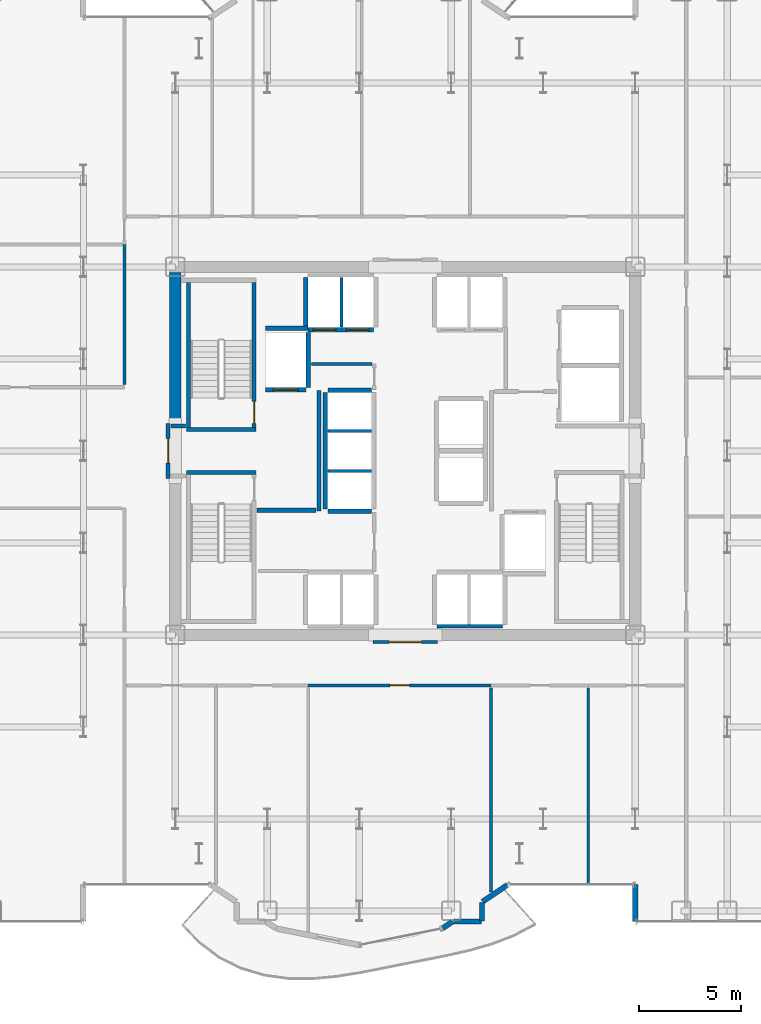
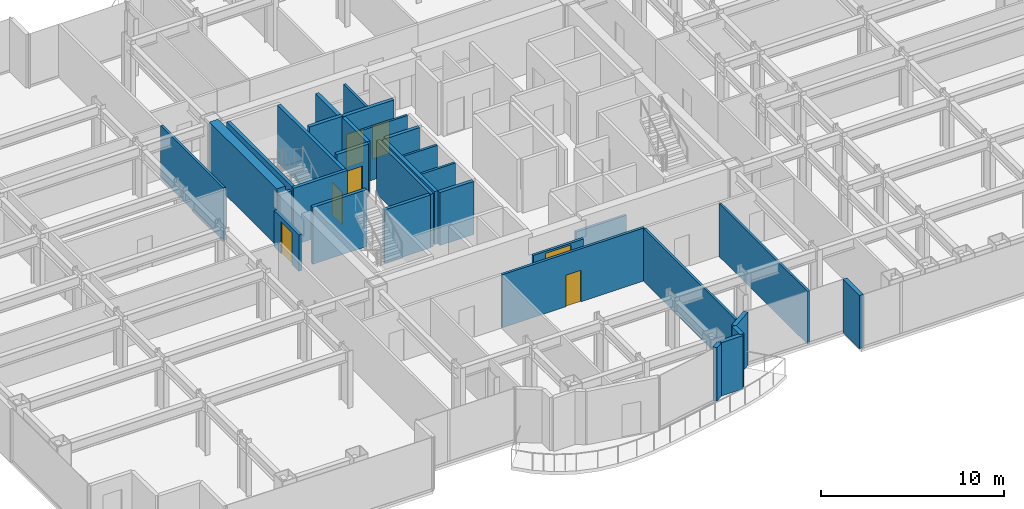
# One storey, part 23 of 28: 32 walls, 7 doors, 7 openings.
"""IFC4 building model written with IfcOpenShell, lengths in metres."""

from ifc_helpers import new_model, si_unit, direction, frame, frame_2d, origin, place, context, subcontext, project, spatial, rectangle, extrude, source, transform, mapped, material, layer, layer_set, type_object, element, fill, save


model = new_model("IFC4")

# Units and contexts
model_context = context("Model", 3, precision=1e-05, world=origin(), true_north=direction((0.0, 1.0)))
body_context = subcontext(model_context, "Body", "Model", "MODEL_VIEW")
ifc_project = project(units=[si_unit("LENGTHUNIT", "METRE"), si_unit("AREAUNIT", "SQUARE_METRE"), si_unit("VOLUMEUNIT", "CUBIC_METRE"), si_unit("PLANEANGLEUNIT", "RADIAN"), si_unit("MASSUNIT", "GRAM", prefix="KILO")], contexts=[model_context])

# Site, building, storey
site_placement = place(None, origin())
site = spatial("IfcSite", under=ifc_project, at=site_placement, CompositionType="ELEMENT")
building_placement = place(site_placement, origin())
building = spatial("IfcBuilding", under=site, at=building_placement, Name="Nefas-Gora Pilgrimage Tower", CompositionType="ELEMENT")
storey_placement = place(building_placement, frame((0.0, 0.0, 102.199951171875)))
storey = spatial("IfcBuildingStorey", under=building, at=storey_placement, Name="L24", CompositionType="ELEMENT", Elevation=102.199951171875)

# Walls
ifc_material_1 = material(Name="Concrete C60/75", Category="concrete")
ifc_layer_1 = layer(ifc_material_1, 0.550048828125)
ifc_layer_set_1 = layer_set([ifc_layer_1], Name="Concrete C60/75")
wall_type_1 = type_object("IfcWallType", Name="SW-CORE-550", PredefinedType="SHEAR", material=ifc_layer_set_1)
shared_shape_1 = source(origin(), body_context, "Body", "SweptSolid", [
    extrude(rectangle(XDim=7.375, YDim=0.550048828125, at=frame_2d((3.6875, 0.0))), origin(), (0.0, 0.0, 1.0), 3.800048828125),
])
wall_1_placement = place(storey_placement, frame((-11.25, 1.35009765625, 0.0), z_axis=(0.0, 0.0, 1.0), x_axis=(0.0, 1.0, 0.0)))
element("IfcWall", 1, at=wall_1_placement, inside=storey, type_object=wall_type_1, Name="L24 Core Shear Wall W-North", PredefinedType="SHEAR", context=body_context, shape_type="MappedRepresentation", body=[
    mapped(shared_shape_1, transform((0.0, 0.0, 0.0), x_axis=(1.0, 0.0, 0.0), y_axis=(0.0, 1.0, 0.0), z_axis=(0.0, 0.0, 1.0), scale=1.0)),
])
ifc_material_2 = material(Name="Precast concrete C40/50", Category="concrete")
ifc_layer_2 = layer(ifc_material_2, 0.260009765625)
ifc_layer_set_2 = layer_set([ifc_layer_2], Name="Precast concrete C40/50")
wall_type_2 = type_object("IfcWallType", Name="EW-PORTAL-260", PredefinedType="SOLIDWALL", material=ifc_layer_set_2)
shared_shape_2 = source(origin(), body_context, "Body", "SweptSolid", [
    extrude(rectangle(XDim=1.800048828125, YDim=0.260009765625, at=frame_2d((0.89990234375, 0.0))), origin(), (0.0, 0.0, 1.0), 3.550048828125),
])
wall_2_placement = place(storey_placement, frame((11.25, -21.219970703125, 0.0), z_axis=(0.0, 0.0, 1.0), x_axis=(0.0, -1.0, 0.0)))
element("IfcWall", 2, at=wall_2_placement, inside=storey, type_object=wall_type_2, Name="L24 Lobe Shoulder Precast Spandrel Pier 5", PredefinedType="SOLIDWALL", context=body_context, shape_type="MappedRepresentation", body=[
    mapped(shared_shape_2, transform((0.0, 0.0, 0.0), x_axis=(1.0, 0.0, 0.0), y_axis=(0.0, 1.0, 0.0), z_axis=(0.0, 0.0, 1.0), scale=1.0)),
])
shared_shape_3 = source(origin(), body_context, "Body", "SweptSolid", [
    extrude(rectangle(XDim=1.468994140625, YDim=0.260009765625, at=frame_2d((0.734375, 0.0))), origin(), (0.0, 0.0, 1.0), 3.550048828125),
])
wall_3_placement = place(storey_placement, frame((3.773193359375, -22.0517578125, 0.0), z_axis=(0.0, 0.0, 1.0), x_axis=(0.831461760506, 0.555581983884, 0.0)))
element("IfcWall", 3, at=wall_3_placement, inside=storey, type_object=wall_type_2, Name="L24 Lobe Shoulder Precast Spandrel Pier 42", PredefinedType="SOLIDWALL", context=body_context, shape_type="MappedRepresentation", body=[
    mapped(shared_shape_3, transform((0.0, 0.0, 0.0), x_axis=(1.0, 0.0, 0.0), y_axis=(0.0, 1.0, 0.0), z_axis=(0.0, 0.0, 1.0), scale=1.0)),
])
shared_shape_4 = source(origin(), body_context, "Body", "SweptSolid", [
    extrude(rectangle(XDim=0.896728515625, YDim=0.260009765625, at=frame_2d((0.4482421875, 0.0))), origin(), (0.0, 0.0, 1.0), 3.550048828125),
])
wall_4_placement = place(storey_placement, frame((3.75, -22.991943359375, 0.0), z_axis=(0.0, 0.0, 1.0), x_axis=(0.0, 1.0, 0.0)))
element("IfcWall", 4, at=wall_4_placement, inside=storey, type_object=wall_type_2, Name="L24 Lobe Shoulder Precast Spandrel Pier 41", PredefinedType="SOLIDWALL", context=body_context, shape_type="MappedRepresentation", body=[
    mapped(shared_shape_4, transform((0.0, 0.0, 0.0), x_axis=(1.0, 0.0, 0.0), y_axis=(0.0, 1.0, 0.0), z_axis=(0.0, 0.0, 1.0), scale=1.0)),
])
shared_shape_5 = source(origin(), body_context, "Body", "SweptSolid", [
    extrude(rectangle(XDim=1.369873046875, YDim=0.260009765625, at=frame_2d((0.68505859375, 0.0))), origin(), (0.0, 0.0, 1.0), 3.550048828125),
])
wall_5_placement = place(storey_placement, frame((2.35205078125, -23.02001953125, 0.0), z_axis=(0.0, 0.0, 1.0), x_axis=(1.0, 0.0, 0.0)))
element("IfcWall", 5, at=wall_5_placement, inside=storey, type_object=wall_type_2, Name="L24 Lobe Shoulder Precast Spandrel Pier 40", PredefinedType="SOLIDWALL", context=body_context, shape_type="MappedRepresentation", body=[
    mapped(shared_shape_5, transform((0.0, 0.0, 0.0), x_axis=(1.0, 0.0, 0.0), y_axis=(0.0, 1.0, 0.0), z_axis=(0.0, 0.0, 1.0), scale=1.0)),
])
shared_shape_6 = source(origin(), body_context, "Body", "SweptSolid", [
    extrude(rectangle(XDim=0.5654296875, YDim=0.260009765625, at=frame_2d((0.28271484375, 0.0))), origin(), (0.0, 0.0, 1.0), 3.550048828125),
])
wall_6_placement = place(storey_placement, frame((1.83056640625, -23.349609375, 0.0), z_axis=(0.0, 0.0, 1.0), x_axis=(0.831651492666, 0.555297933317, 0.0)))
element("IfcWall", 6, at=wall_6_placement, inside=storey, type_object=wall_type_2, Name="L24 Lobe Shoulder Precast Spandrel Pier 39", PredefinedType="SOLIDWALL", context=body_context, shape_type="MappedRepresentation", body=[
    mapped(shared_shape_6, transform((0.0, 0.0, 0.0), x_axis=(1.0, 0.0, 0.0), y_axis=(0.0, 1.0, 0.0), z_axis=(0.0, 0.0, 1.0), scale=1.0)),
])
ifc_material_3 = material(Name="Concrete C45/55", Category="concrete")
ifc_layer_3 = layer(ifc_material_3, 0.199951171875)
ifc_layer_set_3 = layer_set([ifc_layer_3], Name="Concrete C45/55")
wall_type_3 = type_object("IfcWallType", Name="IW-STAIR-200", PredefinedType="SOLIDWALL", material=ifc_layer_set_3)
shared_shape_7 = source(origin(), body_context, "Body", "SweptSolid", [
    extrude(rectangle(XDim=3.39990234375, YDim=0.199951171875, at=frame_2d((1.699951171875, 0.0))), origin(), (0.0, 0.0, 1.0), 3.800048828125),
])
for number, where, z_axis, x_axis, name in (
    (7, (-7.300048828125, 1.050048828125, 0.0), (0.0, 0.0, 1.0), (-1.0, 0.0, 0.0), "L24 Stairwell Shear Wall ST-01-near"),
    (8, (-10.699951171875, -1.050048828125, 0.0), (0.0, 0.0, 1.0), (1.0, 0.0, 0.0), "L24 Stairwell Shear Wall ST-03-near"),
):
    element("IfcWall", number, at=place(storey_placement, frame(where, z_axis=z_axis, x_axis=x_axis)), inside=storey, type_object=wall_type_3, Name=name, PredefinedType="SOLIDWALL", context=body_context, shape_type="MappedRepresentation", body=[
        mapped(shared_shape_7, transform((0.0, 0.0, 0.0), x_axis=(1.0, 0.0, 0.0), y_axis=(0.0, 1.0, 0.0), z_axis=(0.0, 0.0, 1.0), scale=1.0)),
    ])

# Wall, opening, door
shared_shape_8 = source(origin(), body_context, "Body", "SweptSolid", [
    extrude(rectangle(XDim=7.10009765625, YDim=0.199951171875, at=frame_2d((3.550048828125, 0.0))), origin(), (0.0, 0.0, 1.0), 3.800048828125),
])
wall_7_placement = place(storey_placement, frame((-7.39990234375, 1.14990234375, 0.0), z_axis=(0.0, 0.0, 1.0), x_axis=(0.0, 1.0, 0.0)))
wall_7 = element("IfcWall", 9, at=wall_7_placement, inside=storey, type_object=wall_type_3, Name="L24 Stairwell Shear Wall ST-01-left", PredefinedType="SOLIDWALL", context=body_context, shape_type="MappedRepresentation", body=[
    mapped(shared_shape_8, transform((0.0, 0.0, 0.0), x_axis=(1.0, 0.0, 0.0), y_axis=(0.0, 1.0, 0.0), z_axis=(0.0, 0.0, 1.0), scale=1.0)),
])
opening_1_placement = place(wall_7_placement, frame((0.179931640625, 0.0, 0.0)))
opening_1 = element("IfcOpeningElement", 10, at=opening_1_placement, cuts=wall_7, Name="Opening ID-ST1", PredefinedType="OPENING", context=body_context, shape_type="SweptSolid", body=[
    extrude(rectangle(XDim=1.10009765625, YDim=2.14990234375, at=frame_2d((0.550048828125, 1.074951171875))), frame((0.0, 0.10986328125, 0.0), z_axis=(0.0, -1.0, 0.0), x_axis=(1.0, 0.0, 0.0)), (0.0, 0.0, 1.0), 0.219970703125),
])
ifc_material_4 = material(Name="Painted galvanised steel fire stair door", Category="steel")
door_type_1 = type_object("IfcDoorType", Name="DR-INT-STAIR-1100", OperationType="NOTDEFINED", PredefinedType="DOOR", material=ifc_material_4)
shared_shape_9 = source(origin(), body_context, "Body", "SweptSolid", [
    extrude(rectangle(XDim=1.10009765625, YDim=2.14990234375, at=frame_2d((0.550048828125, 1.074951171875))), frame((0.0, 0.02490234375, 0.0), z_axis=(0.0, -1.0, 0.0), x_axis=(1.0, 0.0, 0.0)), (0.0, 0.0, 1.0), 0.050048828125),
])
door_1_placement = place(opening_1_placement, origin())
door_1 = element("IfcDoor", 11, at=door_1_placement, inside=storey, type_object=door_type_1, Name="L24 Protected Exit Stair Door ST-01", OperationType="SINGLE_SWING_RIGHT", OverallHeight=2.14990234375, OverallWidth=1.10009765625, PredefinedType="DOOR", context=body_context, shape_type="MappedRepresentation", body=[
    mapped(shared_shape_9, transform((0.0, 0.0, 0.0), x_axis=(1.0, 0.0, 0.0), y_axis=(0.0, 1.0, 0.0), z_axis=(0.0, 0.0, 1.0), scale=1.0)),
])
fill(opening_1, door_1)

# Walls
wall_8_placement = place(storey_placement, frame((-10.60009765625, 1.14990234375, 0.0), z_axis=(0.0, 0.0, 1.0), x_axis=(0.0, 1.0, 0.0)))
element("IfcWall", 12, at=wall_8_placement, inside=storey, type_object=wall_type_3, Name="L24 Stairwell Shear Wall ST-01-right", PredefinedType="SOLIDWALL", context=body_context, shape_type="MappedRepresentation", body=[
    mapped(shared_shape_8, transform((0.0, 0.0, 0.0), x_axis=(1.0, 0.0, 0.0), y_axis=(0.0, 1.0, 0.0), z_axis=(0.0, 0.0, 1.0), scale=1.0)),
])
ifc_material_5 = material(Name="Gypsum acoustic stud partition")
ifc_layer_4 = layer(ifc_material_5, 0.159912109375)
ifc_layer_set_4 = layer_set([ifc_layer_4], Name="Gypsum acoustic stud partition")
wall_type_4 = type_object("IfcWallType", Name="IW-CORR-160", PredefinedType="PARTITIONING", material=ifc_layer_set_4)
shared_shape_10 = source(origin(), body_context, "Body", "SweptSolid", [
    extrude(rectangle(XDim=3.199951171875, YDim=0.159912109375, at=frame_2d((1.60009765625, 0.0))), origin(), (0.0, 0.0, 1.0), 2.425048828125),
])
wall_9_placement = place(storey_placement, frame((1.550048828125, -8.580078125, 0.0), z_axis=(0.0, 0.0, 1.0), x_axis=(1.0, 0.0, 0.0)))
element("IfcWall", 13, at=wall_9_placement, inside=storey, type_object=wall_type_4, Name="L24 Hoistway Wall PL2-E-S", PredefinedType="PARTITIONING", context=body_context, shape_type="MappedRepresentation", body=[
    mapped(shared_shape_10, transform((0.0, 0.0, 0.0), x_axis=(1.0, 0.0, 0.0), y_axis=(0.0, 1.0, 0.0), z_axis=(0.0, 0.0, 1.0), scale=1.0)),
])

# Wall, opening, door
ifc_material_6 = material(Name="Concrete C40/50", Category="concrete")
ifc_layer_5 = layer(ifc_material_6, 0.219970703125)
ifc_layer_set_5 = layer_set([ifc_layer_5], Name="Concrete C40/50")
wall_type_5 = type_object("IfcWallType", Name="IW-SHAFT-220", PredefinedType="SOLIDWALL", material=ifc_layer_set_5)
shared_shape_11 = source(origin(), body_context, "Body", "SweptSolid", [
    extrude(rectangle(XDim=2.0, YDim=0.219970703125, at=frame_2d((1.0, 0.0))), origin(), (0.0, 0.0, 1.0), 3.53515625),
])
wall_10_placement = place(storey_placement, frame((-6.85009765625, 2.989990234375, 0.0), z_axis=(0.0, 0.0, 1.0), x_axis=(1.0, 0.0, 0.0)))
wall_10 = element("IfcWall", 14, at=wall_10_placement, inside=storey, type_object=wall_type_5, Name="L24 Hoistway Wall FFL-01-S", PredefinedType="SOLIDWALL", context=body_context, shape_type="MappedRepresentation", body=[
    mapped(shared_shape_11, transform((0.0, 0.0, 0.0), x_axis=(1.0, 0.0, 0.0), y_axis=(0.0, 1.0, 0.0), z_axis=(0.0, 0.0, 1.0), scale=1.0)),
])
opening_2_placement = place(wall_10_placement, frame((0.39990234375, 0.0, 0.0)))
opening_2 = element("IfcOpeningElement", 15, at=opening_2_placement, cuts=wall_10, Name="Opening LD-FF", PredefinedType="OPENING", context=body_context, shape_type="SweptSolid", body=[
    extrude(rectangle(XDim=1.199951171875, YDim=2.199951171875, at=frame_2d((0.60009765625, 1.10009765625))), frame((0.0, 0.119873046875, 0.0), z_axis=(0.0, -1.0, 0.0), x_axis=(1.0, 0.0, 0.0)), (0.0, 0.0, 1.0), 0.239990234375),
])
ifc_material_7 = material(Name="Fire-service sliding lift landing door")
door_type_2 = type_object("IfcDoorType", Name="DR-LIFT-FSAE-1200", OperationType="SLIDING_TO_LEFT", PredefinedType="DOOR", material=ifc_material_7)
shared_shape_12 = source(origin(), body_context, "Body", "SweptSolid", [
    extrude(rectangle(XDim=1.199951171875, YDim=2.199951171875, at=frame_2d((0.60009765625, 1.10009765625))), frame((0.0, 0.02490234375, 0.0), z_axis=(0.0, -1.0, 0.0), x_axis=(1.0, 0.0, 0.0)), (0.0, 0.0, 1.0), 0.050048828125),
])
door_2_placement = place(opening_2_placement, origin())
door_2 = element("IfcDoor", 16, at=door_2_placement, inside=storey, type_object=door_type_2, Name="L24 Sliding Lift Landing Door FFL-01", OperationType="SLIDING_TO_LEFT", OverallHeight=2.199951171875, OverallWidth=1.199951171875, PredefinedType="DOOR", context=body_context, shape_type="MappedRepresentation", body=[
    mapped(shared_shape_12, transform((0.0, 0.0, 0.0), x_axis=(1.0, 0.0, 0.0), y_axis=(0.0, 1.0, 0.0), z_axis=(0.0, 0.0, 1.0), scale=1.0)),
])
fill(opening_2, door_2)

# Wall
shared_shape_13 = source(origin(), body_context, "Body", "SweptSolid", [
    extrude(rectangle(XDim=2.679931640625, YDim=0.219970703125, at=frame_2d((1.33984375, 0.0))), origin(), (0.0, 0.0, 1.0), 3.53515625),
])
wall_11_placement = place(storey_placement, frame((-4.739990234375, 3.110107421875, 0.0), z_axis=(0.0, 0.0, 1.0), x_axis=(0.0, 1.0, 0.0)))
element("IfcWall", 17, at=wall_11_placement, inside=storey, type_object=wall_type_5, Name="L24 Hoistway Wall FFL-01-E", PredefinedType="SOLIDWALL", context=body_context, shape_type="MappedRepresentation", body=[
    mapped(shared_shape_13, transform((0.0, 0.0, 0.0), x_axis=(1.0, 0.0, 0.0), y_axis=(0.0, 1.0, 0.0), z_axis=(0.0, 0.0, 1.0), scale=1.0)),
])

# Wall, openings, doors
shared_shape_14 = source(origin(), body_context, "Body", "SweptSolid", [
    extrude(rectangle(XDim=3.199951171875, YDim=0.219970703125, at=frame_2d((1.60009765625, 0.0))), origin(), (0.0, 0.0, 1.0), 3.53515625),
])
wall_12_placement = place(storey_placement, frame((-4.75, 5.93994140625, 0.0), z_axis=(0.0, 0.0, 1.0), x_axis=(1.0, 0.0, 0.0)))
wall_12 = element("IfcWall", 18, at=wall_12_placement, inside=storey, type_object=wall_type_5, Name="L24 Hoistway Wall PL1-W-S", PredefinedType="SOLIDWALL", context=body_context, shape_type="MappedRepresentation", body=[
    mapped(shared_shape_14, transform((0.0, 0.0, 0.0), x_axis=(1.0, 0.0, 0.0), y_axis=(0.0, 1.0, 0.0), z_axis=(0.0, 0.0, 1.0), scale=1.0)),
])
opening_3_placement = place(wall_12_placement, frame((0.25, 0.0, 0.0)))
opening_3 = element("IfcOpeningElement", 19, at=opening_3_placement, cuts=wall_12, Name="Opening LD-01", PredefinedType="OPENING", context=body_context, shape_type="SweptSolid", body=[
    extrude(rectangle(XDim=1.10009765625, YDim=2.199951171875, at=frame_2d((0.550048828125, 1.10009765625))), frame((0.0, 0.119873046875, 0.0), z_axis=(0.0, -1.0, 0.0), x_axis=(1.0, 0.0, 0.0)), (0.0, 0.0, 1.0), 0.239990234375),
])
opening_4_placement = place(wall_12_placement, frame((1.875, 0.0, 0.0)))
opening_4 = element("IfcOpeningElement", 20, at=opening_4_placement, cuts=wall_12, Name="Opening LD-01", PredefinedType="OPENING", context=body_context, shape_type="SweptSolid", body=[
    extrude(rectangle(XDim=1.10009765625, YDim=2.199951171875, at=frame_2d((0.550048828125, 1.10009765625))), frame((0.0, 0.119873046875, 0.0), z_axis=(0.0, -1.0, 0.0), x_axis=(1.0, 0.0, 0.0)), (0.0, 0.0, 1.0), 0.239990234375),
])
ifc_material_8 = material(Name="Brushed stainless sliding lift landing door")
door_type_3 = type_object("IfcDoorType", Name="DR-LIFT-PASS-1100", OperationType="DOUBLE_DOOR_SLIDING", PredefinedType="DOOR", material=ifc_material_8)
shared_shape_15 = source(origin(), body_context, "Body", "SweptSolid", [
    extrude(rectangle(XDim=1.10009765625, YDim=2.199951171875, at=frame_2d((0.550048828125, 1.10009765625))), frame((0.0, 0.02490234375, 0.0), z_axis=(0.0, -1.0, 0.0), x_axis=(1.0, 0.0, 0.0)), (0.0, 0.0, 1.0), 0.050048828125),
])
door_3_placement = place(opening_3_placement, origin())
door_3 = element("IfcDoor", 21, at=door_3_placement, inside=storey, type_object=door_type_3, Name="L24 Sliding Lift Landing Door PL1-01", OperationType="DOUBLE_DOOR_SLIDING", OverallHeight=2.199951171875, OverallWidth=1.10009765625, PredefinedType="DOOR", context=body_context, shape_type="MappedRepresentation", body=[
    mapped(shared_shape_15, transform((0.0, 0.0, 0.0), x_axis=(1.0, 0.0, 0.0), y_axis=(0.0, 1.0, 0.0), z_axis=(0.0, 0.0, 1.0), scale=1.0)),
])
fill(opening_3, door_3)
door_4_placement = place(opening_4_placement, origin())
door_4 = element("IfcDoor", 22, at=door_4_placement, inside=storey, type_object=door_type_3, Name="L24 Sliding Lift Landing Door PL1-02", OperationType="DOUBLE_DOOR_SLIDING", OverallHeight=2.199951171875, OverallWidth=1.10009765625, PredefinedType="DOOR", context=body_context, shape_type="MappedRepresentation", body=[
    mapped(shared_shape_15, transform((0.0, 0.0, 0.0), x_axis=(1.0, 0.0, 0.0), y_axis=(0.0, 1.0, 0.0), z_axis=(0.0, 0.0, 1.0), scale=1.0)),
])
fill(opening_4, door_4)

# Walls
shared_shape_16 = source(origin(), body_context, "Body", "SweptSolid", [
    extrude(rectangle(XDim=2.429931640625, YDim=0.219970703125, at=frame_2d((1.21484375, 0.0))), origin(), (0.0, 0.0, 1.0), 3.53515625),
])
wall_13_placement = place(storey_placement, frame((-4.860107421875, 8.489990234375, 0.0), z_axis=(0.0, 0.0, 1.0), x_axis=(0.0, -1.0, 0.0)))
element("IfcWall", 23, at=wall_13_placement, inside=storey, type_object=wall_type_5, Name="L24 Hoistway Wall PL1-W-W", PredefinedType="SOLIDWALL", context=body_context, shape_type="MappedRepresentation", body=[
    mapped(shared_shape_16, transform((0.0, 0.0, 0.0), x_axis=(1.0, 0.0, 0.0), y_axis=(0.0, 1.0, 0.0), z_axis=(0.0, 0.0, 1.0), scale=1.0)),
])
ifc_material_9 = material(Name="Gypsum twin-stud partition")
ifc_layer_6 = layer(ifc_material_9, 0.139892578125)
ifc_layer_set_6 = layer_set([ifc_layer_6], Name="Gypsum twin-stud partition")
wall_type_6 = type_object("IfcWallType", Name="IW-UNIT-140", PredefinedType="PARTITIONING", material=ifc_layer_set_6)
shared_shape_17 = source(origin(), body_context, "Body", "SweptSolid", [
    extrude(rectangle(XDim=2.429931640625, YDim=0.139892578125, at=frame_2d((1.21484375, 0.0))), origin(), (0.0, 0.0, 1.0), 3.53515625),
])
wall_14_placement = place(storey_placement, frame((-3.125, 6.06005859375, 0.0), z_axis=(0.0, 0.0, 1.0), x_axis=(0.0, 1.0, 0.0)))
element("IfcWall", 24, at=wall_14_placement, inside=storey, type_object=wall_type_6, Name="L24 Hoistway Wall PL1-W-DIV", PredefinedType="PARTITIONING", context=body_context, shape_type="MappedRepresentation", body=[
    mapped(shared_shape_17, transform((0.0, 0.0, 0.0), x_axis=(1.0, 0.0, 0.0), y_axis=(0.0, 1.0, 0.0), z_axis=(0.0, 0.0, 1.0), scale=1.0)),
])
shared_shape_18 = source(origin(), body_context, "Body", "SweptSolid", [
    extrude(rectangle(XDim=5.7001953125, YDim=0.219970703125, at=frame_2d((2.85009765625, 0.0))), origin(), (0.0, 0.0, 1.0), 3.53515625),
])
wall_15_placement = place(storey_placement, frame((-3.909912109375, 2.85009765625, 0.0), z_axis=(0.0, 0.0, 1.0), x_axis=(0.0, -1.0, 0.0)))
element("IfcWall", 25, at=wall_15_placement, inside=storey, type_object=wall_type_5, Name="L24 Hoistway Wall PL3-01-03-W", PredefinedType="SOLIDWALL", context=body_context, shape_type="MappedRepresentation", body=[
    mapped(shared_shape_18, transform((0.0, 0.0, 0.0), x_axis=(1.0, 0.0, 0.0), y_axis=(0.0, 1.0, 0.0), z_axis=(0.0, 0.0, 1.0), scale=1.0)),
])
shared_shape_19 = source(origin(), body_context, "Body", "SweptSolid", [
    extrude(rectangle(XDim=2.130126953125, YDim=0.219970703125, at=frame_2d((1.06494140625, 0.0))), origin(), (0.0, 0.0, 1.0), 3.53515625),
])
for number, where, z_axis, x_axis, name in (
    (26, (-3.7900390625, -2.9599609375, 0.0), (0.0, 0.0, 1.0), (1.0, 0.0, 0.0), "L24 Hoistway Wall PL3-01-S"),
    (27, (-1.659912109375, 2.9599609375, 0.0), (0.0, 0.0, 1.0), (-1.0, 0.0, 0.0), "L24 Hoistway Wall PL3-03-N"),
):
    element("IfcWall", number, at=place(storey_placement, frame(where, z_axis=z_axis, x_axis=x_axis)), inside=storey, type_object=wall_type_5, Name=name, PredefinedType="SOLIDWALL", context=body_context, shape_type="MappedRepresentation", body=[
        mapped(shared_shape_19, transform((0.0, 0.0, 0.0), x_axis=(1.0, 0.0, 0.0), y_axis=(0.0, 1.0, 0.0), z_axis=(0.0, 0.0, 1.0), scale=1.0)),
    ])
shared_shape_20 = source(origin(), body_context, "Body", "SweptSolid", [
    extrude(rectangle(XDim=2.130126953125, YDim=0.139892578125, at=frame_2d((1.06494140625, 0.0))), origin(), (0.0, 0.0, 1.0), 3.53515625),
])
for number, where, z_axis, x_axis, name in (
    (28, (-3.7900390625, -0.97509765625, 0.0), (0.0, 0.0, 1.0), (1.0, 0.0, 0.0), "L24 Hoistway Wall PL3-01-02-DIV"),
    (29, (-3.7900390625, 0.97509765625, 0.0), (0.0, 0.0, 1.0), (1.0, 0.0, 0.0), "L24 Hoistway Wall PL3-02-03-DIV"),
):
    element("IfcWall", number, at=place(storey_placement, frame(where, z_axis=z_axis, x_axis=x_axis)), inside=storey, type_object=wall_type_6, Name=name, PredefinedType="PARTITIONING", context=body_context, shape_type="MappedRepresentation", body=[
        mapped(shared_shape_20, transform((0.0, 0.0, 0.0), x_axis=(1.0, 0.0, 0.0), y_axis=(0.0, 1.0, 0.0), z_axis=(0.0, 0.0, 1.0), scale=1.0)),
    ])

# Wall, opening, door
ifc_material_10 = material(Name="Gypsum fire-rated shaftwall")
ifc_layer_7 = layer(ifc_material_10, 0.199951171875)
ifc_layer_set_7 = layer_set([ifc_layer_7], Name="Gypsum fire-rated shaftwall")
wall_type_7 = type_object("IfcWallType", Name="IW-FFLOB-200", PredefinedType="PARTITIONING", material=ifc_layer_set_7)
shared_shape_21 = source(origin(), body_context, "Body", "SweptSolid", [
    extrude(rectangle(XDim=2.7001953125, YDim=0.199951171875, at=frame_2d((1.35009765625, 0.0))), origin(), (0.0, 0.0, 1.0), 2.425048828125),
])
wall_16_placement = place(storey_placement, frame((-11.60009765625, -1.35009765625, 0.0), z_axis=(0.0, 0.0, 1.0), x_axis=(0.0, 1.0, 0.0)))
wall_16 = element("IfcWall", 30, at=wall_16_placement, inside=storey, type_object=wall_type_7, Name="L24 FF Lobby West Portal Wall 3", PredefinedType="PARTITIONING", context=body_context, shape_type="MappedRepresentation", body=[
    mapped(shared_shape_21, transform((0.0, 0.0, 0.0), x_axis=(1.0, 0.0, 0.0), y_axis=(0.0, 1.0, 0.0), z_axis=(0.0, 0.0, 1.0), scale=1.0)),
])
opening_5_placement = place(wall_16_placement, frame((0.75, 0.0, 0.0)))
opening_5 = element("IfcOpeningElement", 31, at=opening_5_placement, cuts=wall_16, Name="Opening ID-FF1", PredefinedType="OPENING", context=body_context, shape_type="SweptSolid", body=[
    extrude(rectangle(XDim=1.199951171875, YDim=2.14990234375, at=frame_2d((0.60009765625, 1.074951171875))), frame((0.0, 0.10986328125, 0.0), z_axis=(0.0, -1.0, 0.0), x_axis=(1.0, 0.0, 0.0)), (0.0, 0.0, 1.0), 0.219970703125),
])
ifc_material_11 = material(Name="Smoke-sealed steel firefighting lobby door", Category="steel")
door_type_4 = type_object("IfcDoorType", Name="DR-INT-FFLOB-1200", OperationType="NOTDEFINED", PredefinedType="DOOR", material=ifc_material_11)
shared_shape_22 = source(origin(), body_context, "Body", "SweptSolid", [
    extrude(rectangle(XDim=1.199951171875, YDim=2.14990234375, at=frame_2d((0.60009765625, 1.074951171875))), frame((0.0, 0.02490234375, 0.0), z_axis=(0.0, -1.0, 0.0), x_axis=(1.0, 0.0, 0.0)), (0.0, 0.0, 1.0), 0.050048828125),
])
door_5_placement = place(opening_5_placement, origin())
door_5 = element("IfcDoor", 32, at=door_5_placement, inside=storey, type_object=door_type_4, Name="L24 FF Lobby West Portal Door 1", OperationType="SINGLE_SWING_LEFT", OverallHeight=2.14990234375, OverallWidth=1.199951171875, PredefinedType="DOOR", context=body_context, shape_type="MappedRepresentation", body=[
    mapped(shared_shape_22, transform((0.0, 0.0, 0.0), x_axis=(1.0, 0.0, 0.0), y_axis=(0.0, 1.0, 0.0), z_axis=(0.0, 0.0, 1.0), scale=1.0)),
])
fill(opening_5, door_5)

# Walls
shared_shape_23 = source(origin(), body_context, "Body", "SweptSolid", [
    extrude(rectangle(XDim=2.09521484375, YDim=0.219970703125, at=frame_2d((1.047607421875, 0.0))), origin(), (0.0, 0.0, 1.0), 3.53515625),
])
wall_17_placement = place(storey_placement, frame((-6.85009765625, 6.0, 0.0), z_axis=(0.0, 0.0, 1.0), x_axis=(1.0, 0.0, 0.0)))
element("IfcWall", 33, at=wall_17_placement, inside=storey, type_object=wall_type_5, Name="L24 Riser Shaft Wall 1", PredefinedType="SOLIDWALL", context=body_context, shape_type="MappedRepresentation", body=[
    mapped(shared_shape_23, transform((0.0, 0.0, 0.0), x_axis=(1.0, 0.0, 0.0), y_axis=(0.0, 1.0, 0.0), z_axis=(0.0, 0.0, 1.0), scale=1.0)),
])
shared_shape_24 = source(origin(), body_context, "Body", "SweptSolid", [
    extrude(rectangle(XDim=5.89990234375, YDim=0.199951171875, at=frame_2d((2.949951171875, 0.0))), origin(), (0.0, 0.0, 1.0), 3.53515625),
])
wall_18_placement = place(storey_placement, frame((-4.219970703125, -2.949951171875, 0.0), z_axis=(0.0, 0.0, 1.0), x_axis=(0.0, 1.0, 0.0)))
element("IfcWall", 34, at=wall_18_placement, inside=storey, type_object=wall_type_7, Name="L24 FF Lobby West Inner Wall Wall 4", PredefinedType="PARTITIONING", context=body_context, shape_type="MappedRepresentation", body=[
    mapped(shared_shape_24, transform((0.0, 0.0, 0.0), x_axis=(1.0, 0.0, 0.0), y_axis=(0.0, 1.0, 0.0), z_axis=(0.0, 0.0, 1.0), scale=1.0)),
])
shared_shape_25 = source(origin(), body_context, "Body", "SweptSolid", [
    extrude(rectangle(XDim=2.89990234375, YDim=0.199951171875, at=frame_2d((1.449951171875, 0.0))), origin(), (0.0, 0.0, 1.0), 3.53515625),
])
wall_19_placement = place(storey_placement, frame((-7.260009765625, -2.89990234375, 0.0), z_axis=(0.0, 0.0, 1.0), x_axis=(1.0, 0.0, 0.0)))
element("IfcWall", 35, at=wall_19_placement, inside=storey, type_object=wall_type_7, Name="L24 FF Lobby West South Wall Wall 5", PredefinedType="PARTITIONING", context=body_context, shape_type="MappedRepresentation", body=[
    mapped(shared_shape_25, transform((0.0, 0.0, 0.0), x_axis=(1.0, 0.0, 0.0), y_axis=(0.0, 1.0, 0.0), z_axis=(0.0, 0.0, 1.0), scale=1.0)),
])
shared_shape_26 = source(origin(), body_context, "Body", "SweptSolid", [
    extrude(rectangle(XDim=0.719970703125, YDim=0.199951171875, at=frame_2d((0.35986328125, 0.0))), origin(), (0.0, 0.0, 1.0), 3.53515625),
])
wall_20_placement = place(storey_placement, frame((-11.4599609375, 1.219970703125, 0.0), z_axis=(0.0, 0.0, 1.0), x_axis=(1.0, 0.0, 0.0)))
element("IfcWall", 36, at=wall_20_placement, inside=storey, type_object=wall_type_7, Name="L24 FF Lobby West Throat N Wall 6", PredefinedType="PARTITIONING", context=body_context, shape_type="MappedRepresentation", body=[
    mapped(shared_shape_26, transform((0.0, 0.0, 0.0), x_axis=(1.0, 0.0, 0.0), y_axis=(0.0, 1.0, 0.0), z_axis=(0.0, 0.0, 1.0), scale=1.0)),
])
shared_shape_27 = source(origin(), body_context, "Body", "SweptSolid", [
    extrude(rectangle(XDim=2.9501953125, YDim=0.139892578125, at=frame_2d((1.47509765625, 0.0))), origin(), (0.0, 0.0, 1.0), 3.53515625),
])
wall_21_placement = place(storey_placement, frame((-4.590087890625, 4.25, 0.0), z_axis=(0.0, 0.0, 1.0), x_axis=(1.0, 0.0, 0.0)))
element("IfcWall", 37, at=wall_21_placement, inside=storey, type_object=wall_type_6, Name="L24 Housekeeping and Linen Store Partition Wall 17", PredefinedType="PARTITIONING", context=body_context, shape_type="MappedRepresentation", body=[
    mapped(shared_shape_27, transform((0.0, 0.0, 0.0), x_axis=(1.0, 0.0, 0.0), y_axis=(0.0, 1.0, 0.0), z_axis=(0.0, 0.0, 1.0), scale=1.0)),
])
shared_shape_28 = source(origin(), body_context, "Body", "SweptSolid", [
    extrude(rectangle(XDim=9.64990234375, YDim=0.139892578125, at=frame_2d((4.824951171875, 0.0))), origin(), (0.0, 0.0, 1.0), 3.53515625),
])
wall_22_placement = place(storey_placement, frame((8.949951171875, -21.239990234375, 0.0), z_axis=(0.0, 0.0, 1.0), x_axis=(0.0, 1.0, 0.0)))
element("IfcWall", 38, at=wall_22_placement, inside=storey, type_object=wall_type_6, Name="L24 Pilgrim Contemplative Lounge Partition Wall 48", PredefinedType="PARTITIONING", context=body_context, shape_type="MappedRepresentation", body=[
    mapped(shared_shape_28, transform((0.0, 0.0, 0.0), x_axis=(1.0, 0.0, 0.0), y_axis=(0.0, 1.0, 0.0), z_axis=(0.0, 0.0, 1.0), scale=1.0)),
])

# Wall, opening, door
shared_shape_29 = source(origin(), body_context, "Body", "SweptSolid", [
    extrude(rectangle(XDim=3.16015625, YDim=0.159912109375, at=frame_2d((1.580078125, 0.0))), origin(), (0.0, 0.0, 1.0), 2.425048828125),
])
wall_23_placement = place(storey_placement, frame((-1.580078125, -9.35009765625, 0.0), z_axis=(0.0, 0.0, 1.0), x_axis=(1.0, 0.0, 0.0)))
wall_23 = element("IfcWall", 39, at=wall_23_placement, inside=storey, type_object=wall_type_4, Name="L24 Central Lift Lobby South Portal Wall 14", PredefinedType="PARTITIONING", context=body_context, shape_type="MappedRepresentation", body=[
    mapped(shared_shape_29, transform((0.0, 0.0, 0.0), x_axis=(1.0, 0.0, 0.0), y_axis=(0.0, 1.0, 0.0), z_axis=(0.0, 0.0, 1.0), scale=1.0)),
])
opening_6_placement = place(wall_23_placement, frame((0.780029296875, 0.0, 0.0)))
opening_6 = element("IfcOpeningElement", 40, at=opening_6_placement, cuts=wall_23, Name="Opening ID-HL1", PredefinedType="OPENING", context=body_context, shape_type="SweptSolid", body=[
    extrude(rectangle(XDim=1.60009765625, YDim=2.300048828125, at=frame_2d((0.800048828125, 1.14990234375))), frame((0.0, 0.08984375, 0.0), z_axis=(0.0, -1.0, 0.0), x_axis=(1.0, 0.0, 0.0)), (0.0, 0.0, 1.0), 0.179931640625),
])
ifc_material_12 = material(Name="Double acoustic timber assembly hall door", Category="wood")
door_type_5 = type_object("IfcDoorType", Name="DR-INT-HALL-1600", OperationType="DOUBLE_DOOR_SINGLE_SWING", PredefinedType="DOOR", material=ifc_material_12)
shared_shape_30 = source(origin(), body_context, "Body", "SweptSolid", [
    extrude(rectangle(XDim=1.60009765625, YDim=2.300048828125, at=frame_2d((0.800048828125, 1.14990234375))), frame((0.0, 0.02490234375, 0.0), z_axis=(0.0, -1.0, 0.0), x_axis=(1.0, 0.0, 0.0)), (0.0, 0.0, 1.0), 0.050048828125),
])
door_6_placement = place(opening_6_placement, origin())
door_6 = element("IfcDoor", 41, at=door_6_placement, inside=storey, type_object=door_type_5, Name="L24 Central Lift Lobby South Portal Door 5", OperationType="DOUBLE_DOOR_SINGLE_SWING", OverallHeight=2.300048828125, OverallWidth=1.60009765625, PredefinedType="DOOR", context=body_context, shape_type="MappedRepresentation", body=[
    mapped(shared_shape_30, transform((0.0, 0.0, 0.0), x_axis=(1.0, 0.0, 0.0), y_axis=(0.0, 1.0, 0.0), z_axis=(0.0, 0.0, 1.0), scale=1.0)),
])
fill(opening_6, door_6)

# Wall
shared_shape_31 = source(origin(), body_context, "Body", "SweptSolid", [
    extrude(rectangle(XDim=6.847412109375, YDim=0.139892578125, at=frame_2d((3.423828125, 0.0))), origin(), (0.0, 0.0, 1.0), 3.53515625),
])
wall_24_placement = place(storey_placement, frame((-13.739990234375, 3.239990234375, 0.0), z_axis=(0.0, 0.0, 1.0), x_axis=(0.0, 1.0, 0.0)))
element("IfcWall", 42, at=wall_24_placement, inside=storey, type_object=wall_type_6, Name="L24 Pilgrim Floor Concierge Foyer Partition Wall 28", PredefinedType="PARTITIONING", context=body_context, shape_type="MappedRepresentation", body=[
    mapped(shared_shape_31, transform((0.0, 0.0, 0.0), x_axis=(1.0, 0.0, 0.0), y_axis=(0.0, 1.0, 0.0), z_axis=(0.0, 0.0, 1.0), scale=1.0)),
])

# Wall, opening, door
shared_shape_32 = source(origin(), body_context, "Body", "SweptSolid", [
    extrude(rectangle(XDim=8.965087890625, YDim=0.159912109375, at=frame_2d((4.482421875, 0.0))), origin(), (0.0, 0.0, 1.0), 3.53515625),
])
wall_25_placement = place(storey_placement, frame((-4.760009765625, -11.469970703125, 0.0), z_axis=(0.0, 0.0, 1.0), x_axis=(1.0, 0.0, 0.0)))
wall_25 = element("IfcWall", 43, at=wall_25_placement, inside=storey, type_object=wall_type_4, Name="L24 Pilgrim Contemplative Lounge Partition Wall 41", PredefinedType="PARTITIONING", context=body_context, shape_type="MappedRepresentation", body=[
    mapped(shared_shape_32, transform((0.0, 0.0, 0.0), x_axis=(1.0, 0.0, 0.0), y_axis=(0.0, 1.0, 0.0), z_axis=(0.0, 0.0, 1.0), scale=1.0)),
])
opening_7_placement = place(wall_25_placement, frame((4.007568359375, 0.0, 0.0)))
opening_7 = element("IfcOpeningElement", 44, at=opening_7_placement, cuts=wall_25, Name="Opening ID-GR1", PredefinedType="OPENING", context=body_context, shape_type="SweptSolid", body=[
    extrude(rectangle(XDim=0.949951171875, YDim=2.10009765625, at=frame_2d((0.47509765625, 1.050048828125))), frame((0.0, 0.08984375, 0.0), z_axis=(0.0, -1.0, 0.0), x_axis=(1.0, 0.0, 0.0)), (0.0, 0.0, 1.0), 0.179931640625),
])
ifc_material_13 = material(Name="Solid core oak fire-rated guest entrance door")
door_type_6 = type_object("IfcDoorType", Name="DR-INT-GUEST-950", OperationType="NOTDEFINED", PredefinedType="DOOR", material=ifc_material_13)
shared_shape_33 = source(origin(), body_context, "Body", "SweptSolid", [
    extrude(rectangle(XDim=0.949951171875, YDim=2.10009765625, at=frame_2d((0.47509765625, 1.050048828125))), frame((0.0, 0.02490234375, 0.0), z_axis=(0.0, -1.0, 0.0), x_axis=(1.0, 0.0, 0.0)), (0.0, 0.0, 1.0), 0.050048828125),
])
door_7_placement = place(opening_7_placement, origin())
door_7 = element("IfcDoor", 45, at=door_7_placement, inside=storey, type_object=door_type_6, Name="L24 Pilgrim Contemplative Lounge Door 20", OperationType="SINGLE_SWING_RIGHT", OverallHeight=2.10009765625, OverallWidth=0.949951171875, PredefinedType="DOOR", context=body_context, shape_type="MappedRepresentation", body=[
    mapped(shared_shape_33, transform((0.0, 0.0, 0.0), x_axis=(1.0, 0.0, 0.0), y_axis=(0.0, 1.0, 0.0), z_axis=(0.0, 0.0, 1.0), scale=1.0)),
])
fill(opening_7, door_7)

# Wall
shared_shape_34 = source(origin(), body_context, "Body", "SweptSolid", [
    extrude(rectangle(XDim=9.977783203125, YDim=0.139892578125, at=frame_2d((4.98876953125, 0.0))), origin(), (0.0, 0.0, 1.0), 3.53515625),
])
wall_26_placement = place(storey_placement, frame((4.195068359375, -21.56787109375, 0.0), z_axis=(0.0, 0.0, 1.0), x_axis=(0.0, 1.0, 0.0)))
element("IfcWall", 46, at=wall_26_placement, inside=storey, type_object=wall_type_6, Name="L24 Pilgrim Contemplative Lounge Partition Wall 43", PredefinedType="PARTITIONING", context=body_context, shape_type="MappedRepresentation", body=[
    mapped(shared_shape_34, transform((0.0, 0.0, 0.0), x_axis=(1.0, 0.0, 0.0), y_axis=(0.0, 1.0, 0.0), z_axis=(0.0, 0.0, 1.0), scale=1.0)),
])

save(model, "model.ifc")
